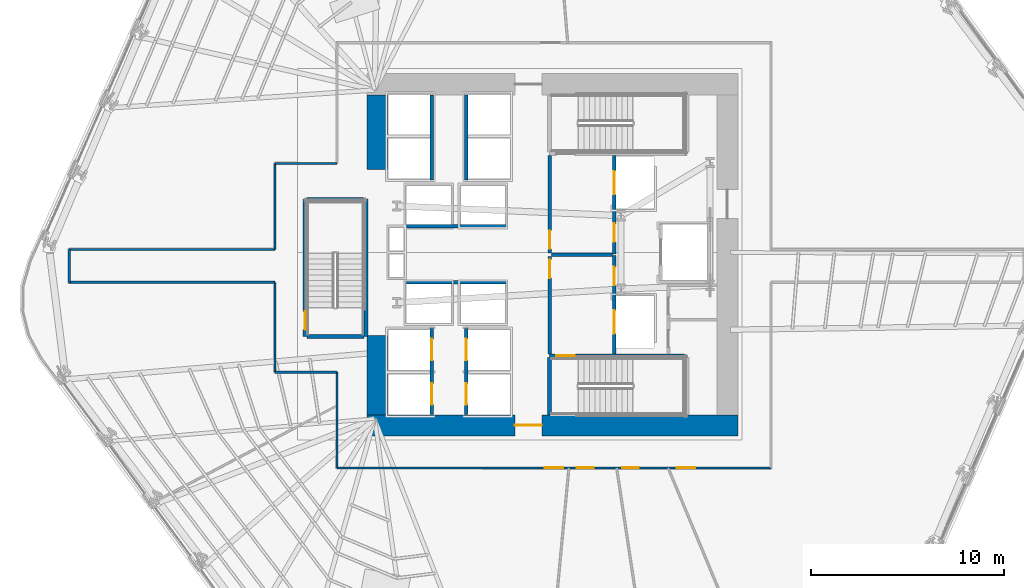
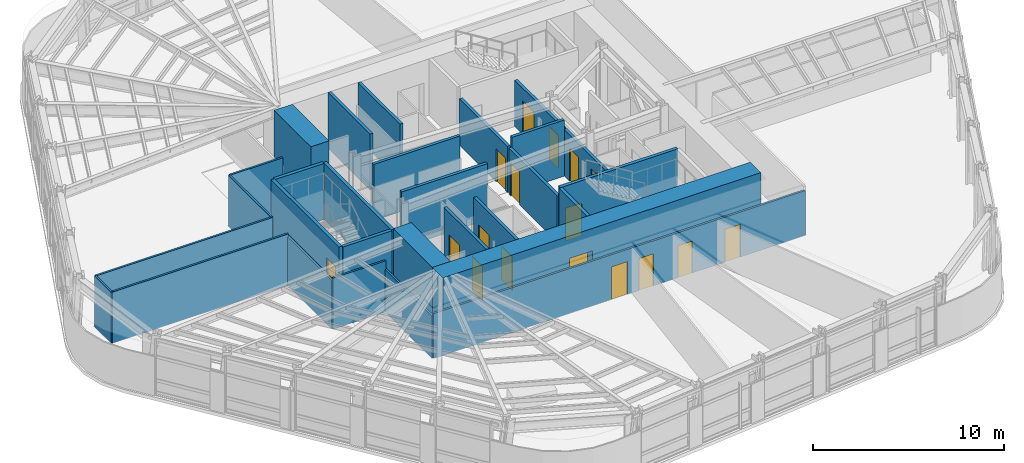
# One storey, part 8 of 16: 29 walls, 17 doors, 17 openings.
"""IFC4 building model written with IfcOpenShell, lengths in metres."""

from ifc_helpers import new_model, si_unit, direction, frame, frame_2d, origin, place, context, subcontext, project, spatial, rectangle, extrude, material, layer, layer_set, type_object, element, fill, save


model = new_model("IFC4")

# Units and contexts
model_context = context("Model", 3, precision=1e-05, world=origin(), true_north=direction((0.0, 1.0)))
body_context = subcontext(model_context, "Body", "Model", "MODEL_VIEW")
ifc_project = project(units=[si_unit("LENGTHUNIT", "METRE"), si_unit("AREAUNIT", "SQUARE_METRE"), si_unit("VOLUMEUNIT", "CUBIC_METRE"), si_unit("PLANEANGLEUNIT", "RADIAN"), si_unit("MASSUNIT", "GRAM", prefix="KILO")], contexts=[model_context])

# Site, building, storey
site_placement = place(None, origin())
site = spatial("IfcSite", under=ifc_project, at=site_placement, CompositionType="ELEMENT")
building_placement = place(site_placement, origin())
building = spatial("IfcBuilding", under=site, at=building_placement, Name="Valkerne Bourse Tower", CompositionType="ELEMENT")
storey_placement = place(building_placement, frame((0.0, 0.0, 50.60009765625)))
storey = spatial("IfcBuildingStorey", under=building, at=storey_placement, Name="L12", CompositionType="ELEMENT", Elevation=50.60009765625)

# Wall, opening, door
ifc_material_1 = material(Name="Concrete C70/85", Category="concrete")
ifc_layer_1 = layer(ifc_material_1, 1.10009765625)
ifc_layer_set_1 = layer_set([ifc_layer_1], Name="Concrete C70/85")
wall_type_1 = type_object("IfcWallType", Name="W-CORE-1100", PredefinedType="SHEAR", material=ifc_layer_set_1)
wall_1_placement = place(storey_placement, frame((37.199951171875, 18.050048828125, 0.0), z_axis=(0.0, 0.0, 1.0), x_axis=(1.0, 0.0, 0.0)))
wall_1 = element("IfcWall", 1, at=wall_1_placement, inside=storey, type_object=wall_type_1, Name="L12 Core Shear Wall SOUTH", PredefinedType="SHEAR", context=body_context, shape_type="SweptSolid", body=[
    extrude(rectangle(XDim=19.199951171875, YDim=1.10009765625, at=frame_2d((9.60009765625, 0.0))), origin(), (0.0, 0.0, 1.0), 3.579833984375),
])
opening_1_placement = place(wall_1_placement, frame((7.64990234375, 0.0, 0.0)))
opening_1 = element("IfcOpeningElement", 2, at=opening_1_placement, cuts=wall_1, Name="Opening D-PL-1400", PredefinedType="OPENING", context=body_context, shape_type="SweptSolid", body=[
    extrude(rectangle(XDim=1.39990234375, YDim=2.14990234375, at=frame_2d((0.699951171875, 1.074951171875))), frame((0.0, 0.56005859375, 0.0), z_axis=(0.0, -1.0, 0.0), x_axis=(1.0, 0.0, 0.0)), (0.0, 0.0, 1.0), 1.1201171875),
])
ifc_material_2 = material(Name="Galvanised Painted Steel", Category="steel")
door_type_1 = type_object("IfcDoorType", Name="DR-PLT-1400", OperationType="DOUBLE_DOOR_SINGLE_SWING", PredefinedType="DOOR", material=ifc_material_2)
door_1_placement = place(opening_1_placement, origin())
door_1 = element("IfcDoor", 3, at=door_1_placement, inside=storey, type_object=door_type_1, Name="L12 South Passenger Lift Hall Fire Door", OperationType="DOUBLE_DOOR_SINGLE_SWING", OverallHeight=2.14990234375, OverallWidth=1.39990234375, PredefinedType="DOOR", context=body_context, shape_type="SweptSolid", body=[
    extrude(rectangle(XDim=1.39990234375, YDim=2.14990234375, at=frame_2d((0.699951171875, 1.074951171875))), frame((0.0, 0.02490234375, 0.0), z_axis=(0.0, -1.0, 0.0), x_axis=(1.0, 0.0, 0.0)), (0.0, 0.0, 1.0), 0.050048828125),
])
fill(opening_1, door_1)

# Walls
wall_2_placement = place(storey_placement, frame((37.75, 18.60009765625, 0.0), z_axis=(0.0, 0.0, 1.0), x_axis=(0.0, 1.0, 0.0)))
element("IfcWall", 4, at=wall_2_placement, inside=storey, type_object=wall_type_1, Name="L12 Core Shear Wall WEST-S", PredefinedType="SHEAR", context=body_context, shape_type="SweptSolid", body=[
    extrude(rectangle(XDim=4.099853515625, YDim=1.10009765625, at=frame_2d((2.0498046875, 0.0))), origin(), (0.0, 0.0, 1.0), 3.579833984375),
])
wall_3_placement = place(storey_placement, frame((37.75, 31.300048828125, 0.0), z_axis=(0.0, 0.0, 1.0), x_axis=(0.0, 1.0, 0.0)))
element("IfcWall", 5, at=wall_3_placement, inside=storey, type_object=wall_type_1, Name="L12 Core Shear Wall WEST-N", PredefinedType="SHEAR", context=body_context, shape_type="SweptSolid", body=[
    extrude(rectangle(XDim=3.849853515625, YDim=1.10009765625, at=frame_2d((1.9248046875, 0.0))), origin(), (0.0, 0.0, 1.0), 3.579833984375),
])

# Wall, openings, doors
ifc_material_3 = material(Name="Gypsum Board Steel-Stud Partition", Category="steel")
ifc_layer_2 = layer(ifc_material_3, 0.117919921875)
ifc_layer_set_2 = layer_set([ifc_layer_2], Name="Gypsum Board Steel-Stud Partition")
wall_type_2 = type_object("IfcWallType", Name="W-CORR-140", PredefinedType="PARTITIONING", material=ifc_layer_set_2)
wall_4_placement = place(storey_placement, frame((58.10009765625, 15.85009765625, 0.0), z_axis=(0.0, 0.0, 1.0), x_axis=(-1.0, 0.0, 0.0)))
wall_4 = element("IfcWall", 6, at=wall_4_placement, inside=storey, type_object=wall_type_2, Name="L12 Corridor Enclosure Wall", PredefinedType="PARTITIONING", context=body_context, shape_type="SweptSolid", body=[
    extrude(rectangle(XDim=22.4501953125, YDim=0.117919921875, at=frame_2d((11.22509765625, 0.0))), origin(), (0.0, 0.0, 1.0), 2.87646484375),
])
opening_2_placement = place(wall_4_placement, frame((9.175048828125, 0.0, 0.0)))
opening_2 = element("IfcOpeningElement", 7, at=opening_2_placement, cuts=wall_4, Name="Opening D-WC-900", PredefinedType="OPENING", context=body_context, shape_type="SweptSolid", body=[
    extrude(rectangle(XDim=0.860107421875, YDim=2.050048828125, at=frame_2d((0.43017578125, 1.02490234375))), frame((0.0, 0.06884765625, 0.0), z_axis=(0.0, -1.0, 0.0), x_axis=(1.0, 0.0, 0.0)), (0.0, 0.0, 1.0), 0.137939453125),
])
opening_3_placement = place(wall_4_placement, frame((6.8349609375, 0.0, 0.0)))
opening_3 = element("IfcOpeningElement", 8, at=opening_3_placement, cuts=wall_4, Name="Opening D-WC-900", PredefinedType="OPENING", context=body_context, shape_type="SweptSolid", body=[
    extrude(rectangle(XDim=0.860107421875, YDim=2.050048828125, at=frame_2d((0.43017578125, 1.02490234375))), frame((0.0, 0.06884765625, 0.0), z_axis=(0.0, -1.0, 0.0), x_axis=(1.0, 0.0, 0.0)), (0.0, 0.0, 1.0), 0.137939453125),
])
opening_4_placement = place(wall_4_placement, frame((10.75, 0.0, 0.0)))
opening_4 = element("IfcOpeningElement", 9, at=opening_4_placement, cuts=wall_4, Name="Opening D-OF-950", PredefinedType="OPENING", context=body_context, shape_type="SweptSolid", body=[
    extrude(rectangle(XDim=0.949951171875, YDim=2.10009765625, at=frame_2d((0.47509765625, 1.050048828125))), frame((0.0, 0.06884765625, 0.0), z_axis=(0.0, -1.0, 0.0), x_axis=(1.0, 0.0, 0.0)), (0.0, 0.0, 1.0), 0.137939453125),
])
opening_5_placement = place(wall_4_placement, frame((3.909912109375, 0.0, 0.0)))
opening_5 = element("IfcOpeningElement", 10, at=opening_5_placement, cuts=wall_4, Name="Opening D-OF-950", PredefinedType="OPENING", context=body_context, shape_type="SweptSolid", body=[
    extrude(rectangle(XDim=0.949951171875, YDim=2.10009765625, at=frame_2d((0.47509765625, 1.050048828125))), frame((0.0, 0.06884765625, 0.0), z_axis=(0.0, -1.0, 0.0), x_axis=(1.0, 0.0, 0.0)), (0.0, 0.0, 1.0), 0.137939453125),
])
ifc_material_4 = material(Name="Architectural White Oak Timber", Category="wood")
door_type_2 = type_object("IfcDoorType", Name="DR-OFF-950", OperationType="NOTDEFINED", PredefinedType="DOOR", material=ifc_material_4)
door_2_placement = place(opening_4_placement, origin())
door_2 = element("IfcDoor", 11, at=door_2_placement, inside=storey, type_object=door_type_2, Name="L12 L12 Executive Economics Study Room 3 Door", OperationType="SINGLE_SWING_LEFT", OverallHeight=2.10009765625, OverallWidth=0.949951171875, PredefinedType="DOOR", context=body_context, shape_type="SweptSolid", body=[
    extrude(rectangle(XDim=0.949951171875, YDim=2.10009765625, at=frame_2d((0.47509765625, 1.050048828125))), frame((0.0, 0.02490234375, 0.0), z_axis=(0.0, -1.0, 0.0), x_axis=(1.0, 0.0, 0.0)), (0.0, 0.0, 1.0), 0.050048828125),
])
fill(opening_4, door_2)
door_3_placement = place(opening_5_placement, origin())
door_3 = element("IfcDoor", 12, at=door_3_placement, inside=storey, type_object=door_type_2, Name="L12 L12 Occupational Wellness Clinic 5 Door", OperationType="SINGLE_SWING_RIGHT", OverallHeight=2.10009765625, OverallWidth=0.949951171875, PredefinedType="DOOR", context=body_context, shape_type="SweptSolid", body=[
    extrude(rectangle(XDim=0.949951171875, YDim=2.10009765625, at=frame_2d((0.47509765625, 1.050048828125))), frame((0.0, 0.02490234375, 0.0), z_axis=(0.0, -1.0, 0.0), x_axis=(1.0, 0.0, 0.0)), (0.0, 0.0, 1.0), 0.050048828125),
])
fill(opening_5, door_3)
door_type_3 = type_object("IfcDoorType", Name="DR-WC-900", OperationType="NOTDEFINED", PredefinedType="DOOR", material=ifc_material_4)
door_4_placement = place(opening_2_placement, origin())
door_4 = element("IfcDoor", 13, at=door_4_placement, inside=storey, type_object=door_type_3, Name="L12 L12 Men Bathroom WC 1 Door", OperationType="SINGLE_SWING_LEFT", OverallHeight=2.050048828125, OverallWidth=0.860107421875, PredefinedType="DOOR", context=body_context, shape_type="SweptSolid", body=[
    extrude(rectangle(XDim=0.860107421875, YDim=2.050048828125, at=frame_2d((0.43017578125, 1.02490234375))), frame((0.0, 0.02490234375, 0.0), z_axis=(0.0, -1.0, 0.0), x_axis=(1.0, 0.0, 0.0)), (0.0, 0.0, 1.0), 0.050048828125),
])
fill(opening_2, door_4)
door_5_placement = place(opening_3_placement, origin())
door_5 = element("IfcDoor", 14, at=door_5_placement, inside=storey, type_object=door_type_3, Name="L12 L12 Women Restroom & Shower WC 2 Door", OperationType="SINGLE_SWING_LEFT", OverallHeight=2.050048828125, OverallWidth=0.860107421875, PredefinedType="DOOR", context=body_context, shape_type="SweptSolid", body=[
    extrude(rectangle(XDim=0.860107421875, YDim=2.050048828125, at=frame_2d((0.43017578125, 1.02490234375))), frame((0.0, 0.02490234375, 0.0), z_axis=(0.0, -1.0, 0.0), x_axis=(1.0, 0.0, 0.0)), (0.0, 0.0, 1.0), 0.050048828125),
])
fill(opening_3, door_5)

# Walls
wall_5_placement = place(storey_placement, frame((35.64990234375, 15.85009765625, 0.0), z_axis=(0.0, 0.0, 1.0), x_axis=(0.0, 1.0, 0.0)))
element("IfcWall", 15, at=wall_5_placement, inside=storey, type_object=wall_type_2, Name="L12 Corridor Enclosure Wall", PredefinedType="PARTITIONING", context=body_context, shape_type="SweptSolid", body=[
    extrude(rectangle(XDim=4.949951171875, YDim=0.117919921875, at=frame_2d((2.47509765625, 0.0))), origin(), (0.0, 0.0, 1.0), 2.71142578125),
])
wall_6_placement = place(storey_placement, frame((35.64990234375, 20.800048828125, 0.0), z_axis=(0.0, 0.0, 1.0), x_axis=(-1.0, 0.0, 0.0)))
element("IfcWall", 16, at=wall_6_placement, inside=storey, type_object=wall_type_2, Name="L12 Corridor Enclosure Wall", PredefinedType="PARTITIONING", context=body_context, shape_type="SweptSolid", body=[
    extrude(rectangle(XDim=3.199951171875, YDim=0.117919921875, at=frame_2d((1.60009765625, 0.0))), origin(), (0.0, 0.0, 1.0), 3.260009765625),
])
wall_7_placement = place(storey_placement, frame((32.449951171875, 20.800048828125, 0.0), z_axis=(0.0, 0.0, 1.0), x_axis=(0.0, 1.0, 0.0)))
element("IfcWall", 17, at=wall_7_placement, inside=storey, type_object=wall_type_2, Name="L12 Corridor Enclosure Wall", PredefinedType="PARTITIONING", context=body_context, shape_type="SweptSolid", body=[
    extrude(rectangle(XDim=4.64990234375, YDim=0.117919921875, at=frame_2d((2.324951171875, 0.0))), origin(), (0.0, 0.0, 1.0), 3.107666015625),
])
wall_8_placement = place(storey_placement, frame((32.449951171875, 25.449951171875, 0.0), z_axis=(0.0, 0.0, 1.0), x_axis=(-1.0, 0.0, 0.0)))
element("IfcWall", 18, at=wall_8_placement, inside=storey, type_object=wall_type_2, Name="L12 Corridor Enclosure Wall", PredefinedType="PARTITIONING", context=body_context, shape_type="SweptSolid", body=[
    extrude(rectangle(XDim=10.64990234375, YDim=0.117919921875, at=frame_2d((5.324951171875, 0.0))), origin(), (0.0, 0.0, 1.0), 3.27978515625),
])
wall_9_placement = place(storey_placement, frame((21.800048828125, 25.449951171875, 0.0), z_axis=(0.0, 0.0, 1.0), x_axis=(0.0, 1.0, 0.0)))
element("IfcWall", 19, at=wall_9_placement, inside=storey, type_object=wall_type_2, Name="L12 Corridor Enclosure Wall", PredefinedType="PARTITIONING", context=body_context, shape_type="SweptSolid", body=[
    extrude(rectangle(XDim=1.699951171875, YDim=0.117919921875, at=frame_2d((0.85009765625, 0.0))), origin(), (0.0, 0.0, 1.0), 3.27978515625),
])
wall_10_placement = place(storey_placement, frame((21.800048828125, 27.14990234375, 0.0), z_axis=(0.0, 0.0, 1.0), x_axis=(1.0, 0.0, 0.0)))
element("IfcWall", 20, at=wall_10_placement, inside=storey, type_object=wall_type_2, Name="L12 Corridor Enclosure Wall", PredefinedType="PARTITIONING", context=body_context, shape_type="SweptSolid", body=[
    extrude(rectangle(XDim=10.64990234375, YDim=0.117919921875, at=frame_2d((5.324951171875, 0.0))), origin(), (0.0, 0.0, 1.0), 3.27978515625),
])
wall_11_placement = place(storey_placement, frame((32.449951171875, 27.14990234375, 0.0), z_axis=(0.0, 0.0, 1.0), x_axis=(0.0, 1.0, 0.0)))
element("IfcWall", 21, at=wall_11_placement, inside=storey, type_object=wall_type_2, Name="L12 Corridor Enclosure Wall", PredefinedType="PARTITIONING", context=body_context, shape_type="SweptSolid", body=[
    extrude(rectangle(XDim=4.4501953125, YDim=0.117919921875, at=frame_2d((2.22509765625, 0.0))), origin(), (0.0, 0.0, 1.0), 3.27978515625),
])
wall_12_placement = place(storey_placement, frame((32.449951171875, 31.60009765625, 0.0), z_axis=(0.0, 0.0, 1.0), x_axis=(1.0, 0.0, 0.0)))
element("IfcWall", 22, at=wall_12_placement, inside=storey, type_object=wall_type_2, Name="L12 Corridor Enclosure Wall", PredefinedType="PARTITIONING", context=body_context, shape_type="SweptSolid", body=[
    extrude(rectangle(XDim=3.199951171875, YDim=0.117919921875, at=frame_2d((1.60009765625, 0.0))), origin(), (0.0, 0.0, 1.0), 3.27978515625),
])
ifc_material_5 = material(Name="Gypsum Fire-Rated Shaftwall", Category="gypsum")
ifc_layer_3 = layer(ifc_material_5, 0.179931640625)
ifc_layer_set_3 = layer_set([ifc_layer_3], Name="Gypsum Fire-Rated Shaftwall")
wall_type_3 = type_object("IfcWallType", Name="W-FSAE-180", PredefinedType="PARTITIONING", material=ifc_layer_set_3)
wall_13_placement = place(storey_placement, frame((46.739990234375, 26.8798828125, 0.0), z_axis=(0.0, 0.0, 1.0), x_axis=(1.0, 0.0, 0.0)))
element("IfcWall", 23, at=wall_13_placement, inside=storey, type_object=wall_type_3, Name="L12 FSAE-1/2 Lobby Dividing Fire Wall", PredefinedType="PARTITIONING", context=body_context, shape_type="SweptSolid", body=[
    extrude(rectangle(XDim=3.169921875, YDim=0.179931640625, at=frame_2d((1.5849609375, 0.0))), origin(), (0.0, 0.0, 1.0), 3.579833984375),
])

# Wall, opening, door
wall_14_placement = place(storey_placement, frame((46.64990234375, 21.75, 0.0), z_axis=(0.0, 0.0, 1.0), x_axis=(0.0, 1.0, 0.0)))
wall_14 = element("IfcWall", 24, at=wall_14_placement, inside=storey, type_object=wall_type_3, Name="L12 FSAE-1 Lobby West Fire Wall", PredefinedType="PARTITIONING", context=body_context, shape_type="SweptSolid", body=[
    extrude(rectangle(XDim=5.050048828125, YDim=0.179931640625, at=frame_2d((2.52490234375, 0.0))), origin(), (0.0, 0.0, 1.0), 2.9580078125),
])
opening_6_placement = place(wall_14_placement, frame((3.919921875, 0.0, 0.0)))
opening_6 = element("IfcOpeningElement", 25, at=opening_6_placement, cuts=wall_14, Name="Opening D-FS-950", PredefinedType="OPENING", context=body_context, shape_type="SweptSolid", body=[
    extrude(rectangle(XDim=0.949951171875, YDim=2.10009765625, at=frame_2d((0.47509765625, 1.050048828125))), frame((0.0, 0.099853515625, 0.0), z_axis=(0.0, -1.0, 0.0), x_axis=(1.0, 0.0, 0.0)), (0.0, 0.0, 1.0), 0.199951171875),
])
door_type_4 = type_object("IfcDoorType", Name="DR-FSAE-950", OperationType="NOTDEFINED", PredefinedType="DOOR", material=ifc_material_2)
door_6_placement = place(opening_6_placement, origin())
door_6 = element("IfcDoor", 26, at=door_6_placement, inside=storey, type_object=door_type_4, Name="L12 FSAE-1 Hall Link Fire Door", OperationType="SINGLE_SWING_RIGHT", OverallHeight=2.10009765625, OverallWidth=0.949951171875, PredefinedType="DOOR", context=body_context, shape_type="SweptSolid", body=[
    extrude(rectangle(XDim=0.949951171875, YDim=2.10009765625, at=frame_2d((0.47509765625, 1.050048828125))), frame((0.0, 0.02490234375, 0.0), z_axis=(0.0, -1.0, 0.0), x_axis=(1.0, 0.0, 0.0)), (0.0, 0.0, 1.0), 0.050048828125),
])
fill(opening_6, door_6)

wall_15_placement = place(storey_placement, frame((46.64990234375, 26.9599609375, 0.0), z_axis=(0.0, 0.0, 1.0), x_axis=(0.0, 1.0, 0.0)))
wall_15 = element("IfcWall", 27, at=wall_15_placement, inside=storey, type_object=wall_type_3, Name="L12 FSAE-2 Lobby West Fire Wall", PredefinedType="PARTITIONING", context=body_context, shape_type="SweptSolid", body=[
    extrude(rectangle(XDim=5.0400390625, YDim=0.179931640625, at=frame_2d((2.52001953125, 0.0))), origin(), (0.0, 0.0, 1.0), 2.9580078125),
])
opening_7_placement = place(wall_15_placement, frame((0.219970703125, 0.0, 0.0)))
opening_7 = element("IfcOpeningElement", 28, at=opening_7_placement, cuts=wall_15, Name="Opening D-FS-950", PredefinedType="OPENING", context=body_context, shape_type="SweptSolid", body=[
    extrude(rectangle(XDim=0.949951171875, YDim=2.10009765625, at=frame_2d((0.47509765625, 1.050048828125))), frame((0.0, 0.099853515625, 0.0), z_axis=(0.0, -1.0, 0.0), x_axis=(1.0, 0.0, 0.0)), (0.0, 0.0, 1.0), 0.199951171875),
])
door_7_placement = place(opening_7_placement, origin())
door_7 = element("IfcDoor", 29, at=door_7_placement, inside=storey, type_object=door_type_4, Name="L12 FSAE-2 Hall Link Fire Door", OperationType="SINGLE_SWING_RIGHT", OverallHeight=2.10009765625, OverallWidth=0.949951171875, PredefinedType="DOOR", context=body_context, shape_type="SweptSolid", body=[
    extrude(rectangle(XDim=0.949951171875, YDim=2.10009765625, at=frame_2d((0.47509765625, 1.050048828125))), frame((0.0, 0.02490234375, 0.0), z_axis=(0.0, -1.0, 0.0), x_axis=(1.0, 0.0, 0.0)), (0.0, 0.0, 1.0), 0.050048828125),
])
fill(opening_7, door_7)

# Wall, openings, doors
wall_16_placement = place(storey_placement, frame((50.0, 21.75, 0.0), z_axis=(0.0, 0.0, 1.0), x_axis=(0.0, 1.0, 0.0)))
wall_16 = element("IfcWall", 30, at=wall_16_placement, inside=storey, type_object=wall_type_3, Name="L12 FSAE-1 Lobby & Shaft Front Wall", PredefinedType="PARTITIONING", context=body_context, shape_type="SweptSolid", body=[
    extrude(rectangle(XDim=5.090087890625, YDim=0.179931640625, at=frame_2d((2.544921875, 0.0))), origin(), (0.0, 0.0, 1.0), 2.9580078125),
])
opening_8_placement = place(wall_16_placement, frame((1.050048828125, 0.0, 0.0)))
opening_8 = element("IfcOpeningElement", 31, at=opening_8_placement, cuts=wall_16, Name="Opening LD-1200", PredefinedType="OPENING", context=body_context, shape_type="SweptSolid", body=[
    extrude(rectangle(XDim=1.199951171875, YDim=2.14990234375, at=frame_2d((0.60009765625, 1.074951171875))), frame((0.0, 0.099853515625, 0.0), z_axis=(0.0, -1.0, 0.0), x_axis=(1.0, 0.0, 0.0)), (0.0, 0.0, 1.0), 0.199951171875),
])
opening_9_placement = place(wall_16_placement, frame((3.550048828125, 0.0, 0.0)))
opening_9 = element("IfcOpeningElement", 32, at=opening_9_placement, cuts=wall_16, Name="Opening D-FS-950", PredefinedType="OPENING", context=body_context, shape_type="SweptSolid", body=[
    extrude(rectangle(XDim=0.949951171875, YDim=2.10009765625, at=frame_2d((0.47509765625, 1.050048828125))), frame((0.0, 0.099853515625, 0.0), z_axis=(0.0, -1.0, 0.0), x_axis=(1.0, 0.0, 0.0)), (0.0, 0.0, 1.0), 0.199951171875),
])
door_8_placement = place(opening_9_placement, origin())
door_8 = element("IfcDoor", 33, at=door_8_placement, inside=storey, type_object=door_type_4, Name="L12 FSAE-1 Lobby Corridor Fire Door", OperationType="SINGLE_SWING_RIGHT", OverallHeight=2.10009765625, OverallWidth=0.949951171875, PredefinedType="DOOR", context=body_context, shape_type="SweptSolid", body=[
    extrude(rectangle(XDim=0.949951171875, YDim=2.10009765625, at=frame_2d((0.47509765625, 1.050048828125))), frame((0.0, 0.02490234375, 0.0), z_axis=(0.0, -1.0, 0.0), x_axis=(1.0, 0.0, 0.0)), (0.0, 0.0, 1.0), 0.050048828125),
])
fill(opening_9, door_8)
ifc_material_6 = material(Name="Stainless Steel AISI 316", Category="steel")
door_type_5 = type_object("IfcDoorType", Name="DR-LIFT-1200", OperationType="DOUBLE_DOOR_SLIDING", PredefinedType="DOOR", material=ifc_material_6)
door_9_placement = place(opening_8_placement, origin())
door_9 = element("IfcDoor", 34, at=door_9_placement, inside=storey, type_object=door_type_5, Name="L12 FSAE-1 Firefighting Lift Landing Door", OperationType="DOUBLE_DOOR_SLIDING", OverallHeight=2.14990234375, OverallWidth=1.199951171875, PredefinedType="DOOR", context=body_context, shape_type="SweptSolid", body=[
    extrude(rectangle(XDim=1.199951171875, YDim=2.14990234375, at=frame_2d((0.60009765625, 1.074951171875))), frame((0.0, 0.02490234375, 0.0), z_axis=(0.0, -1.0, 0.0), x_axis=(1.0, 0.0, 0.0)), (0.0, 0.0, 1.0), 0.050048828125),
])
fill(opening_8, door_9)

wall_17_placement = place(storey_placement, frame((50.0, 26.919921875, 0.0), z_axis=(0.0, 0.0, 1.0), x_axis=(0.0, 1.0, 0.0)))
wall_17 = element("IfcWall", 35, at=wall_17_placement, inside=storey, type_object=wall_type_3, Name="L12 FSAE-2 Lobby & Shaft Front Wall", PredefinedType="PARTITIONING", context=body_context, shape_type="SweptSolid", body=[
    extrude(rectangle(XDim=5.080078125, YDim=0.179931640625, at=frame_2d((2.5400390625, 0.0))), origin(), (0.0, 0.0, 1.0), 2.9580078125),
])
opening_10_placement = place(wall_17_placement, frame((3.080078125, 0.0, 0.0)))
opening_10 = element("IfcOpeningElement", 36, at=opening_10_placement, cuts=wall_17, Name="Opening LD-1200", PredefinedType="OPENING", context=body_context, shape_type="SweptSolid", body=[
    extrude(rectangle(XDim=1.199951171875, YDim=2.14990234375, at=frame_2d((0.60009765625, 1.074951171875))), frame((0.0, 0.099853515625, 0.0), z_axis=(0.0, -1.0, 0.0), x_axis=(1.0, 0.0, 0.0)), (0.0, 0.0, 1.0), 0.199951171875),
])
opening_11_placement = place(wall_17_placement, frame((0.6298828125, 0.0, 0.0)))
opening_11 = element("IfcOpeningElement", 37, at=opening_11_placement, cuts=wall_17, Name="Opening D-FS-950", PredefinedType="OPENING", context=body_context, shape_type="SweptSolid", body=[
    extrude(rectangle(XDim=0.949951171875, YDim=2.10009765625, at=frame_2d((0.47509765625, 1.050048828125))), frame((0.0, 0.099853515625, 0.0), z_axis=(0.0, -1.0, 0.0), x_axis=(1.0, 0.0, 0.0)), (0.0, 0.0, 1.0), 0.199951171875),
])
door_10_placement = place(opening_11_placement, origin())
door_10 = element("IfcDoor", 38, at=door_10_placement, inside=storey, type_object=door_type_4, Name="L12 FSAE-2 Lobby Corridor Fire Door", OperationType="SINGLE_SWING_LEFT", OverallHeight=2.10009765625, OverallWidth=0.949951171875, PredefinedType="DOOR", context=body_context, shape_type="SweptSolid", body=[
    extrude(rectangle(XDim=0.949951171875, YDim=2.10009765625, at=frame_2d((0.47509765625, 1.050048828125))), frame((0.0, 0.02490234375, 0.0), z_axis=(0.0, -1.0, 0.0), x_axis=(1.0, 0.0, 0.0)), (0.0, 0.0, 1.0), 0.050048828125),
])
fill(opening_11, door_10)
door_11_placement = place(opening_10_placement, origin())
door_11 = element("IfcDoor", 39, at=door_11_placement, inside=storey, type_object=door_type_5, Name="L12 FSAE-2 Firefighting Lift Landing Door", OperationType="DOUBLE_DOOR_SLIDING", OverallHeight=2.14990234375, OverallWidth=1.199951171875, PredefinedType="DOOR", context=body_context, shape_type="SweptSolid", body=[
    extrude(rectangle(XDim=1.199951171875, YDim=2.14990234375, at=frame_2d((0.60009765625, 1.074951171875))), frame((0.0, 0.02490234375, 0.0), z_axis=(0.0, -1.0, 0.0), x_axis=(1.0, 0.0, 0.0)), (0.0, 0.0, 1.0), 0.050048828125),
])
fill(opening_10, door_11)

ifc_material_7 = material(Name="CMU Blockwork Masonry 200mm", Category="masonry")
ifc_layer_4 = layer(ifc_material_7, 0.179931640625)
ifc_layer_set_4 = layer_set([ifc_layer_4], Name="CMU Blockwork Masonry 200mm")
wall_type_4 = type_object("IfcWallType", Name="W-LFT-180", PredefinedType="SOLIDWALL", material=ifc_layer_set_4)
wall_18_placement = place(storey_placement, frame((40.550048828125, 18.6201171875, 0.0), z_axis=(0.0, 0.0, 1.0), x_axis=(0.0, 1.0, 0.0)))
wall_18 = element("IfcWall", 40, at=wall_18_placement, inside=storey, type_object=wall_type_4, Name="L12 Low-Zone West Cars Front Wall", PredefinedType="SOLIDWALL", context=body_context, shape_type="SweptSolid", body=[
    extrude(rectangle(XDim=4.429931640625, YDim=0.179931640625, at=frame_2d((2.21484375, 0.0))), origin(), (0.0, 0.0, 1.0), 3.579833984375),
])
opening_12_placement = place(wall_18_placement, frame((0.5, 0.0, 0.0)))
opening_12 = element("IfcOpeningElement", 41, at=opening_12_placement, cuts=wall_18, Name="Opening LD-1100", PredefinedType="OPENING", context=body_context, shape_type="SweptSolid", body=[
    extrude(rectangle(XDim=1.10009765625, YDim=2.14990234375, at=frame_2d((0.550048828125, 1.074951171875))), frame((0.0, 0.099853515625, 0.0), z_axis=(0.0, -1.0, 0.0), x_axis=(1.0, 0.0, 0.0)), (0.0, 0.0, 1.0), 0.199951171875),
])
opening_13_placement = place(wall_18_placement, frame((2.800048828125, 0.0, 0.0)))
opening_13 = element("IfcOpeningElement", 42, at=opening_13_placement, cuts=wall_18, Name="Opening LD-1100", PredefinedType="OPENING", context=body_context, shape_type="SweptSolid", body=[
    extrude(rectangle(XDim=1.10009765625, YDim=2.14990234375, at=frame_2d((0.550048828125, 1.074951171875))), frame((0.0, 0.099853515625, 0.0), z_axis=(0.0, -1.0, 0.0), x_axis=(1.0, 0.0, 0.0)), (0.0, 0.0, 1.0), 0.199951171875),
])
door_type_6 = type_object("IfcDoorType", Name="DR-LIFT-1100", OperationType="DOUBLE_DOOR_SLIDING", PredefinedType="DOOR", material=ifc_material_6)
door_12_placement = place(opening_12_placement, origin())
door_12 = element("IfcDoor", 43, at=door_12_placement, inside=storey, type_object=door_type_6, Name="L12 Passenger Lift PL-L1 Sliding Landing Door", OperationType="DOUBLE_DOOR_SLIDING", OverallHeight=2.14990234375, OverallWidth=1.10009765625, PredefinedType="DOOR", context=body_context, shape_type="SweptSolid", body=[
    extrude(rectangle(XDim=1.10009765625, YDim=2.14990234375, at=frame_2d((0.550048828125, 1.074951171875))), frame((0.0, 0.02490234375, 0.0), z_axis=(0.0, -1.0, 0.0), x_axis=(1.0, 0.0, 0.0)), (0.0, 0.0, 1.0), 0.050048828125),
])
fill(opening_12, door_12)
door_13_placement = place(opening_13_placement, origin())
door_13 = element("IfcDoor", 44, at=door_13_placement, inside=storey, type_object=door_type_6, Name="L12 Passenger Lift PL-L2 Sliding Landing Door", OperationType="DOUBLE_DOOR_SLIDING", OverallHeight=2.14990234375, OverallWidth=1.10009765625, PredefinedType="DOOR", context=body_context, shape_type="SweptSolid", body=[
    extrude(rectangle(XDim=1.10009765625, YDim=2.14990234375, at=frame_2d((0.550048828125, 1.074951171875))), frame((0.0, 0.02490234375, 0.0), z_axis=(0.0, -1.0, 0.0), x_axis=(1.0, 0.0, 0.0)), (0.0, 0.0, 1.0), 0.050048828125),
])
fill(opening_13, door_13)

wall_19_placement = place(storey_placement, frame((42.35009765625, 18.6201171875, 0.0), z_axis=(0.0, 0.0, 1.0), x_axis=(0.0, 1.0, 0.0)))
wall_19 = element("IfcWall", 45, at=wall_19_placement, inside=storey, type_object=wall_type_4, Name="L12 Low-Zone East Cars Front Wall", PredefinedType="SOLIDWALL", context=body_context, shape_type="SweptSolid", body=[
    extrude(rectangle(XDim=4.429931640625, YDim=0.179931640625, at=frame_2d((2.21484375, 0.0))), origin(), (0.0, 0.0, 1.0), 3.579833984375),
])
opening_14_placement = place(wall_19_placement, frame((0.5, 0.0, 0.0)))
opening_14 = element("IfcOpeningElement", 46, at=opening_14_placement, cuts=wall_19, Name="Opening LD-1100", PredefinedType="OPENING", context=body_context, shape_type="SweptSolid", body=[
    extrude(rectangle(XDim=1.10009765625, YDim=2.14990234375, at=frame_2d((0.550048828125, 1.074951171875))), frame((0.0, 0.099853515625, 0.0), z_axis=(0.0, -1.0, 0.0), x_axis=(1.0, 0.0, 0.0)), (0.0, 0.0, 1.0), 0.199951171875),
])
opening_15_placement = place(wall_19_placement, frame((2.800048828125, 0.0, 0.0)))
opening_15 = element("IfcOpeningElement", 47, at=opening_15_placement, cuts=wall_19, Name="Opening LD-1100", PredefinedType="OPENING", context=body_context, shape_type="SweptSolid", body=[
    extrude(rectangle(XDim=1.10009765625, YDim=2.14990234375, at=frame_2d((0.550048828125, 1.074951171875))), frame((0.0, 0.099853515625, 0.0), z_axis=(0.0, -1.0, 0.0), x_axis=(1.0, 0.0, 0.0)), (0.0, 0.0, 1.0), 0.199951171875),
])
door_14_placement = place(opening_14_placement, origin())
door_14 = element("IfcDoor", 48, at=door_14_placement, inside=storey, type_object=door_type_6, Name="L12 Passenger Lift PL-L3 Sliding Landing Door", OperationType="DOUBLE_DOOR_SLIDING", OverallHeight=2.14990234375, OverallWidth=1.10009765625, PredefinedType="DOOR", context=body_context, shape_type="SweptSolid", body=[
    extrude(rectangle(XDim=1.10009765625, YDim=2.14990234375, at=frame_2d((0.550048828125, 1.074951171875))), frame((0.0, 0.02490234375, 0.0), z_axis=(0.0, -1.0, 0.0), x_axis=(1.0, 0.0, 0.0)), (0.0, 0.0, 1.0), 0.050048828125),
])
fill(opening_14, door_14)
door_15_placement = place(opening_15_placement, origin())
door_15 = element("IfcDoor", 49, at=door_15_placement, inside=storey, type_object=door_type_6, Name="L12 Passenger Lift PL-L4 Sliding Landing Door", OperationType="DOUBLE_DOOR_SLIDING", OverallHeight=2.14990234375, OverallWidth=1.10009765625, PredefinedType="DOOR", context=body_context, shape_type="SweptSolid", body=[
    extrude(rectangle(XDim=1.10009765625, YDim=2.14990234375, at=frame_2d((0.550048828125, 1.074951171875))), frame((0.0, 0.02490234375, 0.0), z_axis=(0.0, -1.0, 0.0), x_axis=(1.0, 0.0, 0.0)), (0.0, 0.0, 1.0), 0.050048828125),
])
fill(opening_15, door_15)

# Walls
for number, where, z_axis, x_axis, name in (
    (50, (40.550048828125, 30.75, 0.0), (0.0, 0.0, 1.0), (0.0, 1.0, 0.0), "L12 Mid-Zone West Cars Front Wall"),
    (51, (42.35009765625, 30.75, 0.0), (0.0, 0.0, 1.0), (0.0, 1.0, 0.0), "L12 Mid-Zone East Cars Front Wall"),
):
    element("IfcWall", number, at=place(storey_placement, frame(where, z_axis=z_axis, x_axis=x_axis)), inside=storey, type_object=wall_type_4, Name=name, PredefinedType="SOLIDWALL", context=body_context, shape_type="SweptSolid", body=[
        extrude(rectangle(XDim=4.39990234375, YDim=0.179931640625, at=frame_2d((2.199951171875, 0.0))), origin(), (0.0, 0.0, 1.0), 3.579833984375),
    ])
for number, where, z_axis, x_axis, name in (
    (52, (39.25, 25.449951171875, 0.0), (0.0, 0.0, 1.0), (1.0, 0.0, 0.0), "L12 High-Zone South Cars Front Wall"),
    (53, (39.25, 28.35009765625, 0.0), (0.0, 0.0, 1.0), (1.0, 0.0, 0.0), "L12 High-Zone North Cars Front Wall"),
):
    element("IfcWall", number, at=place(storey_placement, frame(where, z_axis=z_axis, x_axis=x_axis)), inside=storey, type_object=wall_type_4, Name=name, PredefinedType="SOLIDWALL", context=body_context, shape_type="SweptSolid", body=[
        extrude(rectangle(XDim=5.199951171875, YDim=0.179931640625, at=frame_2d((2.60009765625, 0.0))), origin(), (0.0, 0.0, 1.0), 3.579833984375),
    ])

# Wall, opening, door
ifc_material_8 = material(Name="Concrete C40/50", Category="concrete")
ifc_layer_5 = layer(ifc_material_8, 0.199951171875)
ifc_layer_set_5 = layer_set([ifc_layer_5], Name="Concrete C40/50")
wall_type_5 = type_object("IfcWallType", Name="W-SHF-200", PredefinedType="SHEAR", material=ifc_layer_set_5)
wall_20_placement = place(storey_placement, frame((46.64990234375, 21.64990234375, 0.0), z_axis=(0.0, 0.0, 1.0), x_axis=(1.0, 0.0, 0.0)))
wall_20 = element("IfcWall", 54, at=wall_20_placement, inside=storey, type_object=wall_type_5, Name="L12 Exit Stair ST-1 Structural Shaft Wall North", PredefinedType="SHEAR", context=body_context, shape_type="SweptSolid", body=[
    extrude(rectangle(XDim=7.10009765625, YDim=0.199951171875, at=frame_2d((3.550048828125, 0.0))), origin(), (0.0, 0.0, 1.0), 3.579833984375),
])
opening_16_placement = place(wall_20_placement, frame((0.35009765625, 0.0, 0.0)))
opening_16 = element("IfcOpeningElement", 55, at=opening_16_placement, cuts=wall_20, Name="Opening D-ST-950", PredefinedType="OPENING", context=body_context, shape_type="SweptSolid", body=[
    extrude(rectangle(XDim=0.949951171875, YDim=2.10009765625, at=frame_2d((0.47509765625, 1.050048828125))), frame((0.0, 0.10986328125, 0.0), z_axis=(0.0, -1.0, 0.0), x_axis=(1.0, 0.0, 0.0)), (0.0, 0.0, 1.0), 0.219970703125),
])
door_type_7 = type_object("IfcDoorType", Name="DR-STAIR-950", OperationType="NOTDEFINED", PredefinedType="DOOR", material=ifc_material_2)
door_16_placement = place(opening_16_placement, origin())
door_16 = element("IfcDoor", 56, at=door_16_placement, inside=storey, type_object=door_type_7, Name="L12 Exit Stair ST-1 Door", OperationType="SINGLE_SWING_RIGHT", OverallHeight=2.10009765625, OverallWidth=0.949951171875, PredefinedType="DOOR", context=body_context, shape_type="SweptSolid", body=[
    extrude(rectangle(XDim=0.949951171875, YDim=2.10009765625, at=frame_2d((0.47509765625, 1.050048828125))), frame((0.0, 0.02490234375, 0.0), z_axis=(0.0, -1.0, 0.0), x_axis=(1.0, 0.0, 0.0)), (0.0, 0.0, 1.0), 0.050048828125),
])
fill(opening_16, door_16)

# Wall
wall_21_placement = place(storey_placement, frame((46.64990234375, 18.60009765625, 0.0), z_axis=(0.0, 0.0, 1.0), x_axis=(0.0, 1.0, 0.0)))
element("IfcWall", 57, at=wall_21_placement, inside=storey, type_object=wall_type_5, Name="L12 Exit Stair ST-1 Structural Shaft Wall West", PredefinedType="SHEAR", context=body_context, shape_type="SweptSolid", body=[
    extrude(rectangle(XDim=2.949951171875, YDim=0.199951171875, at=frame_2d((1.47509765625, 0.0))), origin(), (0.0, 0.0, 1.0), 3.579833984375),
])

# Wall, opening, door
wall_22_placement = place(storey_placement, frame((34.0, 22.64990234375, 0.0), z_axis=(0.0, 0.0, 1.0), x_axis=(0.0, 1.0, 0.0)))
wall_22 = element("IfcWall", 58, at=wall_22_placement, inside=storey, type_object=wall_type_5, Name="L12 Exit Stair ST-3 Structural Shaft Wall West", PredefinedType="SHEAR", context=body_context, shape_type="SweptSolid", body=[
    extrude(rectangle(XDim=7.10009765625, YDim=0.199951171875, at=frame_2d((3.550048828125, 0.0))), origin(), (0.0, 0.0, 1.0), 3.579833984375),
])
opening_17_placement = place(wall_22_placement, frame((0.35009765625, 0.0, 0.0)))
opening_17 = element("IfcOpeningElement", 59, at=opening_17_placement, cuts=wall_22, Name="Opening D-ST-950", PredefinedType="OPENING", context=body_context, shape_type="SweptSolid", body=[
    extrude(rectangle(XDim=0.949951171875, YDim=2.10009765625, at=frame_2d((0.47509765625, 1.050048828125))), frame((0.0, 0.10986328125, 0.0), z_axis=(0.0, -1.0, 0.0), x_axis=(1.0, 0.0, 0.0)), (0.0, 0.0, 1.0), 0.219970703125),
])
door_17_placement = place(opening_17_placement, origin())
door_17 = element("IfcDoor", 60, at=door_17_placement, inside=storey, type_object=door_type_7, Name="L12 Exit Stair ST-3 Door", OperationType="SINGLE_SWING_RIGHT", OverallHeight=2.10009765625, OverallWidth=0.949951171875, PredefinedType="DOOR", context=body_context, shape_type="SweptSolid", body=[
    extrude(rectangle(XDim=0.949951171875, YDim=2.10009765625, at=frame_2d((0.47509765625, 1.050048828125))), frame((0.0, 0.02490234375, 0.0), z_axis=(0.0, -1.0, 0.0), x_axis=(1.0, 0.0, 0.0)), (0.0, 0.0, 1.0), 0.050048828125),
])
fill(opening_17, door_17)

# Walls
for number, where, z_axis, x_axis, name in (
    (61, (34.10009765625, 22.64990234375, 0.0), (0.0, 0.0, 1.0), (1.0, 0.0, 0.0), "L12 Exit Stair ST-3 Structural Shaft Wall South"),
    (62, (34.10009765625, 29.75, 0.0), (0.0, 0.0, 1.0), (1.0, 0.0, 0.0), "L12 Exit Stair ST-3 Structural Shaft Wall North"),
):
    element("IfcWall", number, at=place(storey_placement, frame(where, z_axis=z_axis, x_axis=x_axis)), inside=storey, type_object=wall_type_5, Name=name, PredefinedType="SHEAR", context=body_context, shape_type="SweptSolid", body=[
        extrude(rectangle(XDim=2.949951171875, YDim=0.199951171875, at=frame_2d((1.47509765625, 0.0))), origin(), (0.0, 0.0, 1.0), 3.579833984375),
    ])
wall_23_placement = place(storey_placement, frame((37.14990234375, 22.64990234375, 0.0), z_axis=(0.0, 0.0, 1.0), x_axis=(0.0, 1.0, 0.0)))
element("IfcWall", 63, at=wall_23_placement, inside=storey, type_object=wall_type_5, Name="L12 Exit Stair ST-3 Structural Shaft Wall East", PredefinedType="SHEAR", context=body_context, shape_type="SweptSolid", body=[
    extrude(rectangle(XDim=7.10009765625, YDim=0.199951171875, at=frame_2d((3.550048828125, 0.0))), origin(), (0.0, 0.0, 1.0), 3.579833984375),
])

save(model, "model.ifc")
